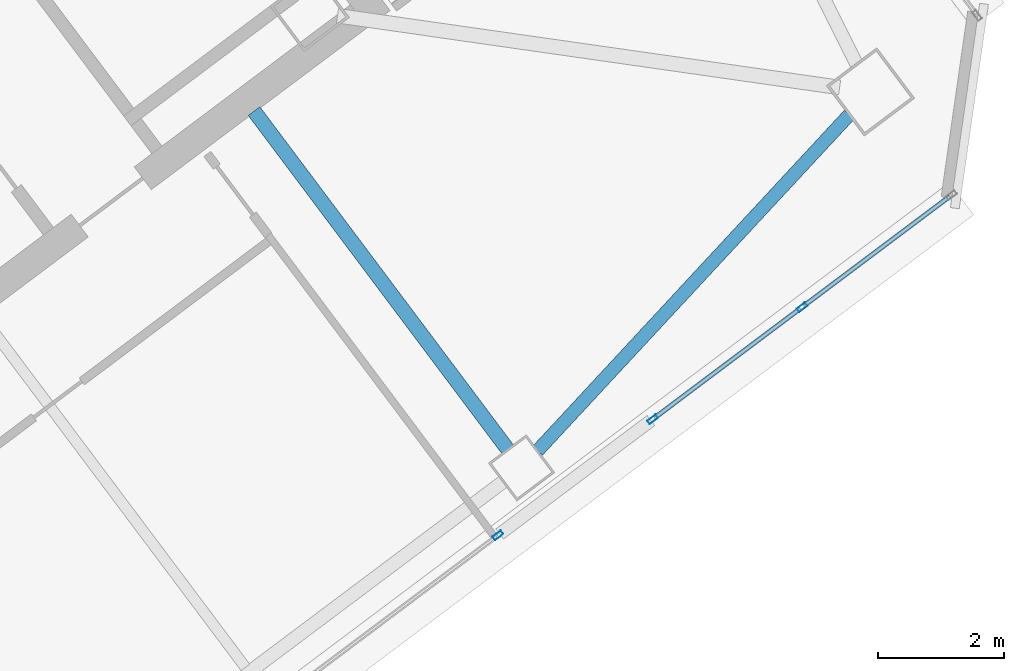
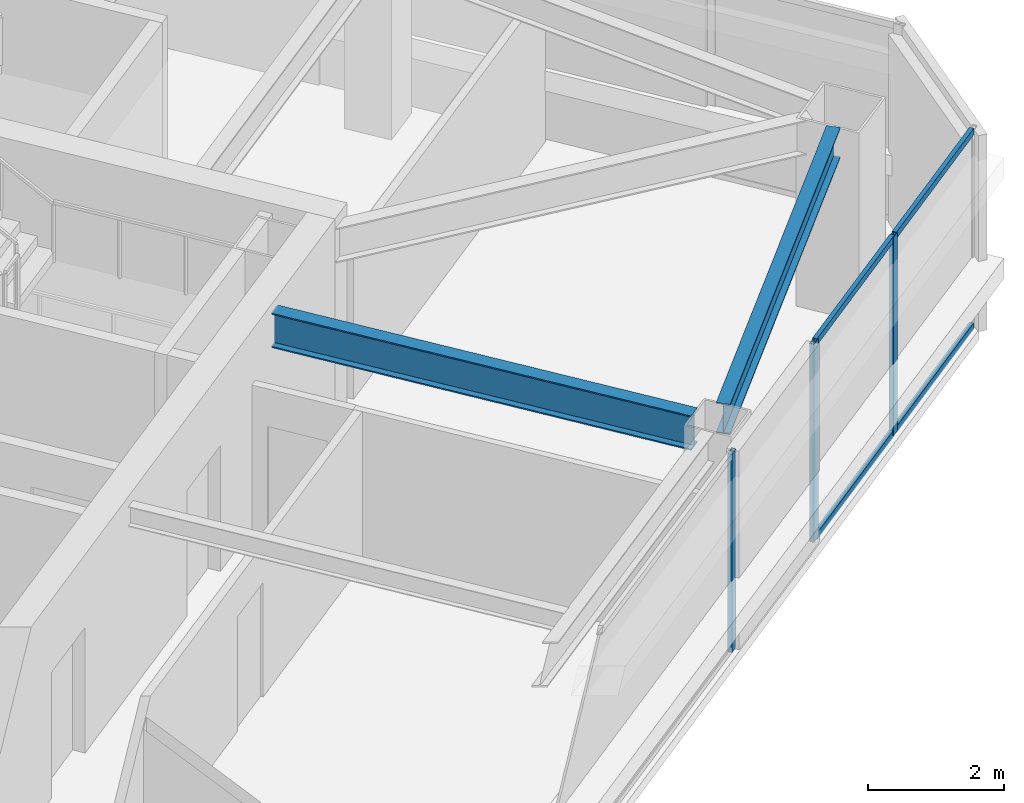
# One storey, part 22 of 39: 7 members, 2 beams, 2 elements without a shape of their own.
"""IFC4 building model written with IfcOpenShell, lengths in metres."""

from ifc_helpers import new_model, si_unit, direction, frame, origin, origin_2d, place, context, subcontext, project, spatial, hollow_rectangle, i_section, extrude, material, material_profile, profile_set, type_object, element, aggregate, save


model = new_model("IFC4")

# Units and contexts
model_context = context("Model", 3, precision=1e-05, world=origin(), true_north=direction((0.0, 1.0)))
body_context = subcontext(model_context, "Body", "Model", "MODEL_VIEW")
ifc_project = project(units=[si_unit("LENGTHUNIT", "METRE"), si_unit("AREAUNIT", "SQUARE_METRE"), si_unit("VOLUMEUNIT", "CUBIC_METRE"), si_unit("PLANEANGLEUNIT", "RADIAN"), si_unit("MASSUNIT", "GRAM", prefix="KILO")], contexts=[model_context])

# Site, building, storey
site_placement = place(None, origin())
site = spatial("IfcSite", under=ifc_project, at=site_placement, CompositionType="ELEMENT")
building_placement = place(site_placement, origin())
building = spatial("IfcBuilding", under=site, at=building_placement, Name="Tashvorn Skyway Center", CompositionType="ELEMENT")
storey_placement = place(building_placement, frame((0.0, 0.0, 214.85009765625)))
storey = spatial("IfcBuildingStorey", under=building, at=storey_placement, Name="L58", CompositionType="ELEMENT", Elevation=214.85009765625)

# Beams
ifc_material_1 = material(Name="Steel ASTM A992 Grade 50", Category="steel")
ifc_material_profile_1 = material_profile(ifc_material_1, i_section(OverallWidth=0.22998046875, OverallDepth=0.616943359375, WebThickness=0.01318359375, FlangeThickness=0.022216796875, at=origin_2d()), Name="W24X94")
ifc_profile_set_1 = profile_set([ifc_material_profile_1], Name="Steel ASTM A992 Grade 50")
beam_type_1 = type_object("IfcBeamType", Name="BM-BEAM-W24X94", PredefinedType="BEAM", material=ifc_profile_set_1)
beam_1_placement = place(storey_placement, frame((127.008056640625, 23.656005859375, 3.0615234375), z_axis=(-0.599994169845, 0.800004372583, 0.0), x_axis=(-0.800004372583, -0.599994169845, 0.0)))
element("IfcBeam", 1, at=beam_1_placement, inside=storey, type_object=beam_type_1, Name="Tower 2 L58 Primary Floor Girder FC-S2", PredefinedType="BEAM", context=body_context, shape_type="SweptSolid", body=[
    extrude(i_section(OverallWidth=0.22998046875, OverallDepth=0.616943359375, WebThickness=0.01318359375, FlangeThickness=0.022216796875, at=origin_2d()), origin(), (0.0, 0.0, 1.0), 6.7001953125),
])
ifc_material_profile_2 = material_profile(ifc_material_1, i_section(OverallWidth=0.2109375, OverallDepth=0.5390625, WebThickness=0.01171875, FlangeThickness=0.018798828125, at=origin_2d()), Name="W21X73")
ifc_profile_set_2 = profile_set([ifc_material_profile_2], Name="Steel ASTM A992 Grade 50")
beam_type_2 = type_object("IfcBeamType", Name="BM-SPANDREL-W21X73", PredefinedType="SPANDREL", material=ifc_profile_set_2)
beam_2_placement = place(storey_placement, frame((127.481689453125, 23.63134765625, 3.100341796875), z_axis=(0.680182956622, 0.733042389989, 0.0), x_axis=(-0.733042389989, 0.680182956622, 0.0)))
element("IfcBeam", 2, at=beam_2_placement, inside=storey, type_object=beam_type_2, Name="Tower 2 L58 Spandrel Beam 03", PredefinedType="SPANDREL", context=body_context, shape_type="SweptSolid", body=[
    extrude(i_section(OverallWidth=0.2109375, OverallDepth=0.5390625, WebThickness=0.01171875, FlangeThickness=0.018798828125, at=origin_2d()), origin(), (0.0, 0.0, 1.0), 7.26513671875),
])

# Curtain wall, members
ifc_material_2 = material(Name="Thermally broken bronze-anodized aluminium 6063-T6", Category="aluminium")
curtain_wall_type = type_object("IfcCurtainWallType", Name="CW-CW-Z5", PredefinedType="NOTDEFINED", material=ifc_material_2)
curtain_wall_1_placement = place(storey_placement, origin())
curtain_wall_1 = element("IfcCurtainWall", 3, at=curtain_wall_1_placement, inside=storey, type_object=curtain_wall_type, Name="Tower 2 L58 South Unitised Curtain Wall Glazing Group 1", PredefinedType="NOTDEFINED")
ifc_material_profile_3 = material_profile(ifc_material_2, hollow_rectangle(XDim=0.070068359375, YDim=0.1650390625, WallThickness=0.00390625, at=origin_2d()), Name="ALU-MULL-70x165")
ifc_profile_set_3 = profile_set([ifc_material_profile_3], Name="Thermally broken bronze-anodized aluminium 6063-T6")
member_type_1 = type_object("IfcMemberType", Name="CWM-CW-Z5", PredefinedType="MULLION", material=ifc_profile_set_3)
member_1_placement = place(storey_placement, frame((131.675537109375, 25.90673828125, 0.0), z_axis=(0.0, 0.0, 1.0), x_axis=(0.600002670604, -0.79999799704, 0.0)))
member_1 = element("IfcMember", 4, at=member_1_placement, type_object=member_type_1, Name="CW-Z5 mullion 2", PredefinedType="MULLION", context=body_context, shape_type="SweptSolid", body=[
    extrude(hollow_rectangle(XDim=0.070068359375, YDim=0.1650390625, WallThickness=0.00390625, at=origin_2d()), origin(), (0.0, 0.0, 1.0), 3.5498046875),
])
member_2_placement = place(storey_placement, frame((129.30712890625, 24.13037109375, 0.0), z_axis=(0.0, 0.0, 1.0), x_axis=(0.600002670604, -0.79999799704, 0.0)))
member_2 = element("IfcMember", 5, at=member_2_placement, type_object=member_type_1, Name="CW-Z5 mullion 3", PredefinedType="MULLION", context=body_context, shape_type="SweptSolid", body=[
    extrude(hollow_rectangle(XDim=0.070068359375, YDim=0.1650390625, WallThickness=0.00390625, at=origin_2d()), origin(), (0.0, 0.0, 1.0), 3.5498046875),
])

# Curtain wall, member
curtain_wall_2_placement = place(storey_placement, origin())
curtain_wall_2 = element("IfcCurtainWall", 6, at=curtain_wall_2_placement, inside=storey, type_object=curtain_wall_type, Name="Tower 2 L58 South Unitised Curtain Wall Glazing Group 2", PredefinedType="NOTDEFINED")
member_3_placement = place(storey_placement, frame((126.854736328125, 22.291015625, 0.0), z_axis=(0.0, 0.0, 1.0), x_axis=(0.599996439189, -0.800002670596, 0.0)))
member_3 = element("IfcMember", 7, at=member_3_placement, type_object=member_type_1, Name="CW-Z5 mullion 1", PredefinedType="MULLION", context=body_context, shape_type="SweptSolid", body=[
    extrude(hollow_rectangle(XDim=0.070068359375, YDim=0.1650390625, WallThickness=0.00390625, at=origin_2d()), origin(), (0.0, 0.0, 1.0), 3.5498046875),
])
aggregate(curtain_wall_2, [member_3])

# Member
ifc_material_profile_4 = material_profile(ifc_material_2, hollow_rectangle(XDim=0.070068359375, YDim=0.114990234375, WallThickness=0.00390625, at=origin_2d()), Name="ALU-TRAN-70x115")
ifc_profile_set_4 = profile_set([ifc_material_profile_4], Name="Thermally broken bronze-anodized aluminium 6063-T6")
member_type_2 = type_object("IfcMemberType", Name="CWT-CW-Z5", PredefinedType="USERDEFINED", material=ifc_profile_set_4)
member_4_placement = place(storey_placement, frame((134.01611328125, 27.662109375, 0.034912109375), z_axis=(-0.8, -0.6, 0.0), x_axis=(0.6, -0.8, 0.0)))
member_4 = element("IfcMember", 8, at=member_4_placement, type_object=member_type_2, Name="CW-Z5 transom 1.1", ObjectType="TRANSOM", PredefinedType="USERDEFINED", context=body_context, shape_type="SweptSolid", body=[
    extrude(hollow_rectangle(XDim=0.070068359375, YDim=0.114990234375, WallThickness=0.00390625, at=origin_2d()), origin(), (0.0, 0.0, 1.0), 2.890625),
])

member_5_placement = place(storey_placement, frame((134.01611328125, 27.662109375, 3.514892578125), z_axis=(-0.8, -0.6, 0.0), x_axis=(0.6, -0.8, 0.0)))
member_5 = element("IfcMember", 9, at=member_5_placement, type_object=member_type_2, Name="CW-Z5 transom 1.2", ObjectType="TRANSOM", PredefinedType="USERDEFINED", context=body_context, shape_type="SweptSolid", body=[
    extrude(hollow_rectangle(XDim=0.070068359375, YDim=0.114990234375, WallThickness=0.00390625, at=origin_2d()), origin(), (0.0, 0.0, 1.0), 2.890625),
])

member_6_placement = place(storey_placement, frame((131.6474609375, 25.8857421875, 0.034912109375), z_axis=(-0.799969591513, -0.600040542509, 0.0), x_axis=(0.600040542509, -0.799969591513, 0.0)))
member_6 = element("IfcMember", 10, at=member_6_placement, type_object=member_type_2, Name="CW-Z5 transom 2.1", ObjectType="TRANSOM", PredefinedType="USERDEFINED", context=body_context, shape_type="SweptSolid", body=[
    extrude(hollow_rectangle(XDim=0.070068359375, YDim=0.114990234375, WallThickness=0.00390625, at=origin_2d()), origin(), (0.0, 0.0, 1.0), 2.890380859375),
])

member_7_placement = place(storey_placement, frame((131.6474609375, 25.8857421875, 3.514892578125), z_axis=(-0.799969591513, -0.600040542509, 0.0), x_axis=(0.600040542509, -0.799969591513, 0.0)))
member_7 = element("IfcMember", 11, at=member_7_placement, type_object=member_type_2, Name="CW-Z5 transom 2.2", ObjectType="TRANSOM", PredefinedType="USERDEFINED", context=body_context, shape_type="SweptSolid", body=[
    extrude(hollow_rectangle(XDim=0.070068359375, YDim=0.114990234375, WallThickness=0.00390625, at=origin_2d()), origin(), (0.0, 0.0, 1.0), 2.890380859375),
])

aggregate(curtain_wall_1, [member_1, member_2, member_4, member_5, member_6, member_7])

save(model, "model.ifc")
